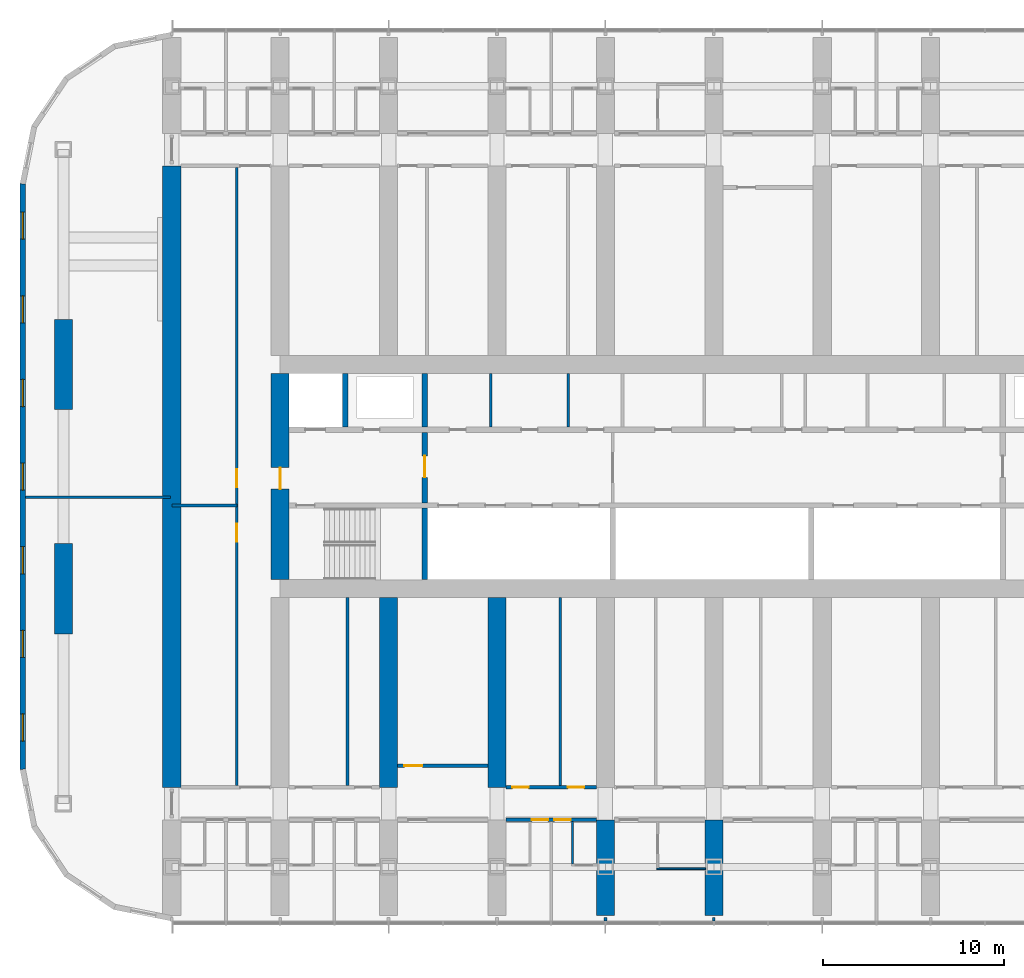
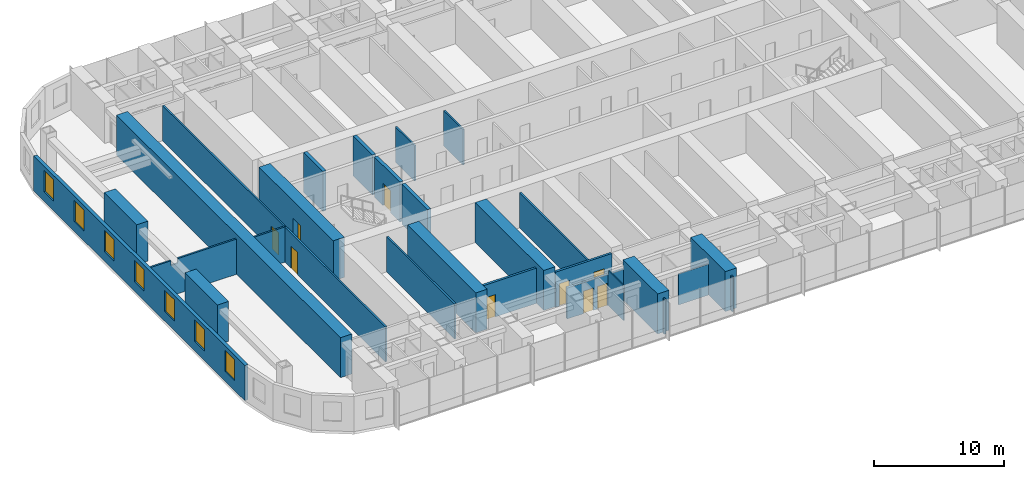
# One storey, part 11 of 24: 27 walls, 9 doors, 7 windows, 16 openings.
"""IFC4 building model written with IfcOpenShell, lengths in metres."""

from ifc_helpers import new_model, si_unit, direction, frame, frame_2d, origin, place, context, subcontext, project, spatial, polyline, rectangle, outline, extrude, material, layer, layer_set, type_object, element, fill, save


model = new_model("IFC4")

# Units and contexts
model_context = context("Model", 3, precision=1e-05, world=origin(), true_north=direction((0.0, 1.0)))
body_context = subcontext(model_context, "Body", "Model", "MODEL_VIEW")
ifc_project = project(units=[si_unit("LENGTHUNIT", "METRE"), si_unit("AREAUNIT", "SQUARE_METRE"), si_unit("VOLUMEUNIT", "CUBIC_METRE"), si_unit("PLANEANGLEUNIT", "RADIAN"), si_unit("MASSUNIT", "GRAM", prefix="KILO")], contexts=[model_context])

# Site, building, storey
site_placement = place(None, origin())
site = spatial("IfcSite", under=ifc_project, at=site_placement, CompositionType="ELEMENT")
building_placement = place(site_placement, origin())
building = spatial("IfcBuilding", under=site, at=building_placement, Name="Orbita Commons", CompositionType="ELEMENT")
storey_placement = place(building_placement, frame((0.0, 0.0, 20.199951171875)))
storey = spatial("IfcBuildingStorey", under=building, at=storey_placement, Name="L04", CompositionType="ELEMENT", Elevation=20.199951171875)

# Wall
ifc_material_1 = material(Name="Concrete C50/60", Category="concrete")
ifc_layer_1 = layer(ifc_material_1, 0.300048828125)
ifc_layer_set_1 = layer_set([ifc_layer_1], Name="Concrete C50/60")
wall_type_1 = type_object("IfcWallType", Name="Core inner wall 300 C50/60", PredefinedType="SHEAR", material=ifc_layer_set_1)
wall_1_placement = place(storey_placement, frame((26.0, 26.300048828125, 0.0), z_axis=(0.0, 0.0, 1.0), x_axis=(0.0, 1.0, 0.0)))
element("IfcWall", 1, at=wall_1_placement, inside=storey, type_object=wall_type_1, Name="Stair S1 wall L04", PredefinedType="SHEAR", context=body_context, shape_type="SweptSolid", body=[
    extrude(rectangle(XDim=3.949951171875, YDim=0.300048828125, at=frame_2d((1.97509765625, 0.0))), origin(), (0.0, 0.0, 1.0), 3.75),
])

# Wall, opening, door
wall_2_placement = place(storey_placement, frame((26.0, 30.550048828125, 0.0), z_axis=(0.0, 0.0, 1.0), x_axis=(0.0, 1.0, 0.0)))
wall_2 = element("IfcWall", 2, at=wall_2_placement, inside=storey, type_object=wall_type_1, Name="Firefighting lobby wall west L04", PredefinedType="SHEAR", context=body_context, shape_type="SweptSolid", body=[
    extrude(rectangle(XDim=3.89990234375, YDim=0.300048828125, at=frame_2d((1.949951171875, 0.0))), origin(), (0.0, 0.0, 1.0), 3.75),
])
opening_1_placement = place(wall_2_placement, frame((1.39990234375, 0.0, 0.0)))
opening_1 = element("IfcOpeningElement", 3, at=opening_1_placement, cuts=wall_2, Name="Opening D04", PredefinedType="OPENING", context=body_context, shape_type="SweptSolid", body=[
    extrude(rectangle(XDim=1.199951171875, YDim=2.10009765625, at=frame_2d((0.60009765625, 1.050048828125))), frame((0.0, 0.159912109375, 0.0), z_axis=(0.0, -1.0, 0.0), x_axis=(1.0, 0.0, 0.0)), (0.0, 0.0, 1.0), 0.320068359375),
])
ifc_material_2 = material(Name="Steel-faced fire door leaf", Category="steel")
door_type_1 = type_object("IfcDoorType", Name="Service door 20 min 1200x2100", OperationType="SINGLE_SWING_LEFT", PredefinedType="DOOR", material=ifc_material_2)
door_1_placement = place(opening_1_placement, origin())
door_1 = element("IfcDoor", 4, at=door_1_placement, inside=storey, type_object=door_type_1, Name="Lift lobby door west", OperationType="SINGLE_SWING_LEFT", OverallHeight=2.10009765625, OverallWidth=1.199951171875, PredefinedType="DOOR", context=body_context, shape_type="SweptSolid", body=[
    extrude(rectangle(XDim=1.199951171875, YDim=2.10009765625, at=frame_2d((0.60009765625, 1.050048828125))), frame((0.0, 0.02490234375, 0.0), z_axis=(0.0, -1.0, 0.0), x_axis=(1.0, 0.0, 0.0)), (0.0, 0.0, 1.0), 0.050048828125),
])
fill(opening_1, door_1)

# Walls
for number, where, z_axis, x_axis, name in (
    (5, (21.60009765625, 34.75, 0.0), (0.0, 0.0, 1.0), (0.0, 1.0, 0.0), "Firefighting lift FL1 shaft wall L04"),
    (6, (26.0, 34.75, 0.0), (0.0, 0.0, 1.0), (0.0, 1.0, 0.0), "Riser wall west L04"),
):
    element("IfcWall", number, at=place(storey_placement, frame(where, z_axis=z_axis, x_axis=x_axis)), inside=storey, type_object=wall_type_1, Name=name, PredefinedType="SHEAR", context=body_context, shape_type="SweptSolid", body=[
        extrude(rectangle(XDim=2.949951171875, YDim=0.300048828125, at=frame_2d((1.47509765625, 0.0))), origin(), (0.0, 0.0, 1.0), 3.75),
    ])
ifc_material_3 = material(Name="Concrete blockwork", Category="masonry")
ifc_layer_2 = layer(ifc_material_3, 0.14990234375)
ifc_layer_set_2 = layer_set([ifc_layer_2], Name="Concrete blockwork")
wall_type_2 = type_object("IfcWallType", Name="Core partition 150 blockwork", PredefinedType="SOLIDWALL", material=ifc_layer_set_2)
for number, where, z_axis, x_axis, name in (
    (7, (29.65087890625, 34.75, 0.0), (0.0, 0.0, 1.0), (0.0, 1.0, 0.0), "Core partition 150 blockwork L04"),
    (8, (33.9462890625, 34.75, 0.0), (0.0, 0.0, 1.0), (0.0, 1.0, 0.0), "Core partition 150 blockwork L04"),
):
    element("IfcWall", number, at=place(storey_placement, frame(where, z_axis=z_axis, x_axis=x_axis)), inside=storey, type_object=wall_type_2, Name=name, PredefinedType="SOLIDWALL", context=body_context, shape_type="SweptSolid", body=[
        extrude(rectangle(XDim=2.949951171875, YDim=0.14990234375, at=frame_2d((1.47509765625, 0.0))), origin(), (0.0, 0.0, 1.0), 3.300048828125),
    ])

# Wall, opening, door
ifc_material_4 = material(Name="Concrete C50/60", Category="concrete")
ifc_layer_3 = layer(ifc_material_4, 1.0)
ifc_layer_set_3 = layer_set([ifc_layer_3], Name="Concrete C50/60")
wall_type_3 = type_object("IfcWallType", Name="Core wall 1000 C50/60", PredefinedType="SHEAR", material=ifc_layer_set_3)
wall_3_placement = place(storey_placement, frame((18.0, 26.300048828125, 0.0), z_axis=(0.0, 0.0, 1.0), x_axis=(0.0, 1.0, 0.0)))
wall_3 = element("IfcWall", 9, at=wall_3_placement, inside=storey, type_object=wall_type_3, Name="Core end wall west L04", PredefinedType="SHEAR", context=body_context, shape_type="SweptSolid", body=[
    extrude(rectangle(XDim=11.39990234375, YDim=1.0, at=frame_2d((5.699951171875, 0.0))), origin(), (0.0, 0.0, 1.0), 3.75),
])
opening_2_placement = place(wall_3_placement, frame((5.0, 0.0, 0.0)))
opening_2 = element("IfcOpeningElement", 10, at=opening_2_placement, cuts=wall_3, Name="Opening D01", PredefinedType="OPENING", context=body_context, shape_type="SweptSolid", body=[
    extrude(rectangle(XDim=1.199951171875, YDim=2.10009765625, at=frame_2d((0.60009765625, 1.050048828125))), frame((0.0, 0.510009765625, 0.0), z_axis=(0.0, -1.0, 0.0), x_axis=(1.0, 0.0, 0.0)), (0.0, 0.0, 1.0), 1.02001953125),
])
ifc_material_5 = material(Name="Steel-faced fire door leaf", Category="steel")
door_type_2 = type_object("IfcDoorType", Name="Fire door 90 min 1200x2100", OperationType="SINGLE_SWING_LEFT", PredefinedType="DOOR", material=ifc_material_5)
door_2_placement = place(opening_2_placement, origin())
door_2 = element("IfcDoor", 11, at=door_2_placement, inside=storey, type_object=door_type_2, Name="Firefighting lobby west door", OperationType="SINGLE_SWING_LEFT", OverallHeight=2.10009765625, OverallWidth=1.199951171875, PredefinedType="DOOR", context=body_context, shape_type="SweptSolid", body=[
    extrude(rectangle(XDim=1.199951171875, YDim=2.10009765625, at=frame_2d((0.60009765625, 1.050048828125))), frame((0.0, 0.02490234375, 0.0), z_axis=(0.0, -1.0, 0.0), x_axis=(1.0, 0.0, 0.0)), (0.0, 0.0, 1.0), 0.050048828125),
])
fill(opening_2, door_2)

# Wall, openings, doors
ifc_material_6 = material(Name="Concrete blockwork", Category="masonry")
ifc_layer_4 = layer(ifc_material_6, 0.199951171875)
ifc_layer_set_4 = layer_set([ifc_layer_4], Name="Concrete blockwork")
wall_type_4 = type_object("IfcWallType", Name="Corridor wall 200 blockwork", PredefinedType="SOLIDWALL", material=ifc_layer_set_4)
wall_4_placement = place(storey_placement, frame((30.5, 13.0, 0.0), z_axis=(0.0, 0.0, 1.0), x_axis=(1.0, 0.0, 0.0)))
wall_4 = element("IfcWall", 12, at=wall_4_placement, inside=storey, type_object=wall_type_4, Name="Corridor wall 200 blockwork L04", PredefinedType="SOLIDWALL", context=body_context, shape_type="SweptSolid", body=[
    extrude(outline(polyline([(0.0, 0.0), (5.0, 0.0), (5.0, 2.900146484375), (0.0, 2.900146484375), (0.0, 0.0)])), frame((0.0, 0.10009765625, 0.0), z_axis=(0.0, -1.0, 0.0), x_axis=(1.0, 0.0, 0.0)), (0.0, 0.0, 1.0), 0.199951171875),
])
opening_3_placement = place(wall_4_placement, frame((1.425048828125, 0.0, 0.0)))
opening_3 = element("IfcOpeningElement", 13, at=opening_3_placement, cuts=wall_4, Name="Opening D11", PredefinedType="OPENING", context=body_context, shape_type="SweptSolid", body=[
    extrude(rectangle(XDim=0.89990234375, YDim=2.10009765625, at=frame_2d((0.449951171875, 1.050048828125))), frame((0.0, 0.10986328125, 0.0), z_axis=(0.0, -1.0, 0.0), x_axis=(1.0, 0.0, 0.0)), (0.0, 0.0, 1.0), 0.219970703125),
])
opening_4_placement = place(wall_4_placement, frame((2.675048828125, 0.0, 0.0)))
opening_4 = element("IfcOpeningElement", 14, at=opening_4_placement, cuts=wall_4, Name="Opening D11", PredefinedType="OPENING", context=body_context, shape_type="SweptSolid", body=[
    extrude(rectangle(XDim=0.89990234375, YDim=2.10009765625, at=frame_2d((0.449951171875, 1.050048828125))), frame((0.0, 0.10986328125, 0.0), z_axis=(0.0, -1.0, 0.0), x_axis=(1.0, 0.0, 0.0)), (0.0, 0.0, 1.0), 0.219970703125),
])
ifc_material_7 = material(Name="Steel-faced fire door leaf", Category="steel")
door_type_3 = type_object("IfcDoorType", Name="Corridor door 20 min 900x2100", OperationType="SINGLE_SWING_LEFT", PredefinedType="DOOR", material=ifc_material_7)
door_3_placement = place(opening_3_placement, origin())
door_3 = element("IfcDoor", 15, at=door_3_placement, inside=storey, type_object=door_type_3, Name="House bedroom L04-S06 door", OperationType="SINGLE_SWING_LEFT", OverallHeight=2.10009765625, OverallWidth=0.89990234375, PredefinedType="DOOR", context=body_context, shape_type="SweptSolid", body=[
    extrude(rectangle(XDim=0.89990234375, YDim=2.10009765625, at=frame_2d((0.449951171875, 1.050048828125))), frame((0.0, 0.02490234375, 0.0), z_axis=(0.0, -1.0, 0.0), x_axis=(1.0, 0.0, 0.0)), (0.0, 0.0, 1.0), 0.050048828125),
])
fill(opening_3, door_3)
door_4_placement = place(opening_4_placement, origin())
door_4 = element("IfcDoor", 16, at=door_4_placement, inside=storey, type_object=door_type_3, Name="House bedroom L04-S07 door", OperationType="SINGLE_SWING_LEFT", OverallHeight=2.10009765625, OverallWidth=0.89990234375, PredefinedType="DOOR", context=body_context, shape_type="SweptSolid", body=[
    extrude(rectangle(XDim=0.89990234375, YDim=2.10009765625, at=frame_2d((0.449951171875, 1.050048828125))), frame((0.0, 0.02490234375, 0.0), z_axis=(0.0, -1.0, 0.0), x_axis=(1.0, 0.0, 0.0)), (0.0, 0.0, 1.0), 0.050048828125),
])
fill(opening_4, door_4)

ifc_material_8 = material(Name="Hollow concrete block 200", Category="concrete")
ifc_layer_5 = layer(ifc_material_8, 0.199951171875)
ifc_layer_set_5 = layer_set([ifc_layer_5], Name="Hollow concrete block 200")
wall_type_5 = type_object("IfcWallType", Name="Corridor wall 200 hollow concrete block", PredefinedType="SOLIDWALL", material=ifc_layer_set_5)
wall_5_placement = place(storey_placement, frame((30.5, 14.800048828125, 0.0), z_axis=(0.0, 0.0, 1.0), x_axis=(1.0, 0.0, 0.0)))
wall_5 = element("IfcWall", 17, at=wall_5_placement, inside=storey, type_object=wall_type_5, Name="Corridor wall 200 hollow concrete block L04", PredefinedType="SOLIDWALL", context=body_context, shape_type="SweptSolid", body=[
    extrude(rectangle(XDim=5.0, YDim=0.199951171875, at=frame_2d((2.5, 0.0))), origin(), (0.0, 0.0, 1.0), 3.300048828125),
])
opening_5_placement = place(wall_5_placement, frame((0.35009765625, 0.0, 0.0)))
opening_5 = element("IfcOpeningElement", 18, at=opening_5_placement, cuts=wall_5, Name="Opening D11", PredefinedType="OPENING", context=body_context, shape_type="SweptSolid", body=[
    extrude(rectangle(XDim=0.89990234375, YDim=2.10009765625, at=frame_2d((0.449951171875, 1.050048828125))), frame((0.0, 0.10986328125, 0.0), z_axis=(0.0, -1.0, 0.0), x_axis=(1.0, 0.0, 0.0)), (0.0, 0.0, 1.0), 0.219970703125),
])
opening_6_placement = place(wall_5_placement, frame((3.425048828125, 0.0, 0.0)))
opening_6 = element("IfcOpeningElement", 19, at=opening_6_placement, cuts=wall_5, Name="Opening D11", PredefinedType="OPENING", context=body_context, shape_type="SweptSolid", body=[
    extrude(rectangle(XDim=0.89990234375, YDim=2.10009765625, at=frame_2d((0.449951171875, 1.050048828125))), frame((0.0, 0.10986328125, 0.0), z_axis=(0.0, -1.0, 0.0), x_axis=(1.0, 0.0, 0.0)), (0.0, 0.0, 1.0), 0.219970703125),
])
door_5_placement = place(opening_5_placement, origin())
door_5 = element("IfcDoor", 20, at=door_5_placement, inside=storey, type_object=door_type_3, Name="Water heater cupboard L04-BDS30n door", OperationType="SINGLE_SWING_LEFT", OverallHeight=2.10009765625, OverallWidth=0.89990234375, PredefinedType="DOOR", context=body_context, shape_type="SweptSolid", body=[
    extrude(rectangle(XDim=0.89990234375, YDim=2.10009765625, at=frame_2d((0.449951171875, 1.050048828125))), frame((0.0, 0.02490234375, 0.0), z_axis=(0.0, -1.0, 0.0), x_axis=(1.0, 0.0, 0.0)), (0.0, 0.0, 1.0), 0.050048828125),
])
fill(opening_5, door_5)
door_6_placement = place(opening_6_placement, origin())
door_6 = element("IfcDoor", 21, at=door_6_placement, inside=storey, type_object=door_type_3, Name="Bicycle repair workshop L04-BDS30 door", OperationType="SINGLE_SWING_LEFT", OverallHeight=2.10009765625, OverallWidth=0.89990234375, PredefinedType="DOOR", context=body_context, shape_type="SweptSolid", body=[
    extrude(rectangle(XDim=0.89990234375, YDim=2.10009765625, at=frame_2d((0.449951171875, 1.050048828125))), frame((0.0, 0.02490234375, 0.0), z_axis=(0.0, -1.0, 0.0), x_axis=(1.0, 0.0, 0.0)), (0.0, 0.0, 1.0), 0.050048828125),
])
fill(opening_6, door_6)

# Wall, opening, door
wall_6_placement = place(storey_placement, frame((24.5, 16.0, 0.0), z_axis=(0.0, 0.0, 1.0), x_axis=(1.0, 0.0, 0.0)))
wall_6 = element("IfcWall", 22, at=wall_6_placement, inside=storey, type_object=wall_type_5, Name="Corridor wall 200 hollow concrete block L04", PredefinedType="SOLIDWALL", context=body_context, shape_type="SweptSolid", body=[
    extrude(rectangle(XDim=5.0, YDim=0.199951171875, at=frame_2d((2.5, 0.0))), origin(), (0.0, 0.0, 1.0), 3.300048828125),
])
opening_7_placement = place(wall_6_placement, frame((0.375, 0.0, 0.0)))
opening_7 = element("IfcOpeningElement", 23, at=opening_7_placement, cuts=wall_6, Name="Opening D06", PredefinedType="OPENING", context=body_context, shape_type="SweptSolid", body=[
    extrude(rectangle(XDim=1.0, YDim=2.10009765625, at=frame_2d((0.5, 1.050048828125))), frame((0.0, 0.10986328125, 0.0), z_axis=(0.0, -1.0, 0.0), x_axis=(1.0, 0.0, 0.0)), (0.0, 0.0, 1.0), 0.219970703125),
])
ifc_material_9 = material(Name="Steel-faced fire door leaf", Category="steel")
door_type_4 = type_object("IfcDoorType", Name="Corridor door 20 min 1000x2100", OperationType="SINGLE_SWING_LEFT", PredefinedType="DOOR", material=ifc_material_9)
door_7_placement = place(opening_7_placement, origin())
door_7 = element("IfcDoor", 24, at=door_7_placement, inside=storey, type_object=door_type_4, Name="Bulk and luggage store L04-BDS24 door", OperationType="SINGLE_SWING_LEFT", OverallHeight=2.10009765625, OverallWidth=1.0, PredefinedType="DOOR", context=body_context, shape_type="SweptSolid", body=[
    extrude(rectangle(XDim=1.0, YDim=2.10009765625, at=frame_2d((0.5, 1.050048828125))), frame((0.0, 0.02490234375, 0.0), z_axis=(0.0, -1.0, 0.0), x_axis=(1.0, 0.0, 0.0)), (0.0, 0.0, 1.0), 0.050048828125),
])
fill(opening_7, door_7)

# Walls
ifc_material_10 = material(Name="Concrete C50/60", Category="concrete")
ifc_layer_6 = layer(ifc_material_10, 1.0)
ifc_layer_set_6 = layer_set([ifc_layer_6], Name="Concrete C50/60")
wall_type_6 = type_object("IfcWallType", Name="Cross wall 1000 C50/60", PredefinedType="SHEAR", material=ifc_layer_set_6)
wall_7_placement = place(storey_placement, frame((12.0, 14.800048828125, 0.0), z_axis=(0.0, 0.0, 1.0), x_axis=(0.0, 1.0, 0.0)))
element("IfcWall", 25, at=wall_7_placement, inside=storey, type_object=wall_type_6, Name="Cross wall 3 inner L04", PredefinedType="SHEAR", context=body_context, shape_type="SweptSolid", body=[
    extrude(rectangle(XDim=34.39990234375, YDim=1.0, at=frame_2d((17.199951171875, 0.0))), origin(), (0.0, 0.0, 1.0), 3.75),
])
for number, where, z_axis, x_axis, name in (
    (26, (24.0, 14.800048828125, 0.0), (0.0, 0.0, 1.0), (0.0, 1.0, 0.0), "Cross wall 5 south inner L04"),
    (27, (30.0, 14.800048828125, 0.0), (0.0, 0.0, 1.0), (0.0, 1.0, 0.0), "Cross wall 6 south inner L04"),
):
    element("IfcWall", number, at=place(storey_placement, frame(where, z_axis=z_axis, x_axis=x_axis)), inside=storey, type_object=wall_type_6, Name=name, PredefinedType="SHEAR", context=body_context, shape_type="SweptSolid", body=[
        extrude(rectangle(XDim=10.5, YDim=1.0, at=frame_2d((5.25, 0.0))), origin(), (0.0, 0.0, 1.0), 3.75),
    ])
for number, where, z_axis, x_axis, name in (
    (28, (36.0, 7.699951171875, 0.0), (0.0, 0.0, 1.0), (0.0, 1.0, 0.0), "Cross wall 7 south outer L04"),
    (29, (42.0, 7.699951171875, 0.0), (0.0, 0.0, 1.0), (0.0, 1.0, 0.0), "Cross wall 8 south outer L04"),
):
    element("IfcWall", number, at=place(storey_placement, frame(where, z_axis=z_axis, x_axis=x_axis)), inside=storey, type_object=wall_type_6, Name=name, PredefinedType="SHEAR", context=body_context, shape_type="SweptSolid", body=[
        extrude(rectangle(XDim=5.300048828125, YDim=1.0, at=frame_2d((2.64990234375, 0.0))), origin(), (0.0, 0.0, 1.0), 3.75),
    ])
ifc_material_11 = material(Name="Moisture-resistant plasterboard on steel studs", Category="steel")
ifc_layer_7 = layer(ifc_material_11, 0.10009765625)
ifc_layer_set_7 = layer_set([ifc_layer_7], Name="Moisture-resistant plasterboard on steel studs")
wall_type_7 = type_object("IfcWallType", Name="En-suite partition 100", PredefinedType="PARTITIONING", material=ifc_layer_set_7)
wall_8_placement = place(storey_placement, frame((34.175048828125, 10.550048828125, 0.0), z_axis=(0.0, 0.0, 1.0), x_axis=(0.0, 1.0, 0.0)))
element("IfcWall", 30, at=wall_8_placement, inside=storey, type_object=wall_type_7, Name="En-suite partition 100 L04", PredefinedType="PARTITIONING", context=body_context, shape_type="SweptSolid", body=[
    extrude(outline(polyline([(0.0, 0.0), (2.349853515625, 0.0), (2.35009765625, 2.900146484375), (2.302001953125, 2.900146484375), (2.300048828125, 3.300048828125), (0.052001953125, 3.300048828125), (0.050048828125, 2.900146484375), (0.0, 2.900146484375), (0.0, 0.0)])), frame((0.0, 0.050048828125, 0.0), z_axis=(0.0, -1.0, 0.0), x_axis=(1.0, 0.0, 0.0)), (0.0, 0.0, 1.0), 0.10009765625),
])
wall_9_placement = place(storey_placement, frame((38.85009765625, 10.300048828125, 0.0), z_axis=(0.0, 0.0, 1.0), x_axis=(1.0, 0.0, 0.0)))
element("IfcWall", 31, at=wall_9_placement, inside=storey, type_object=wall_type_7, Name="En-suite partition 100 L04", PredefinedType="PARTITIONING", context=body_context, shape_type="SweptSolid", body=[
    extrude(outline(polyline([(0.0, 0.0), (2.699951171875, 0.0), (2.699951171875, 2.900146484375), (0.0, 2.900146484375), (0.0, 0.0)])), frame((0.0, 0.050048828125, 0.0), z_axis=(0.0, -1.0, 0.0), x_axis=(1.0, 0.0, 0.0)), (0.0, 0.0, 1.0), 0.10009765625),
])
ifc_material_12 = material(Name="Concrete C50/60", Category="concrete")
ifc_layer_8 = layer(ifc_material_12, 1.0)
ifc_layer_set_8 = layer_set([ifc_layer_8], Name="Concrete C50/60")
wall_type_8 = type_object("IfcWallType", Name="End pier 1000x5000 C50/60", PredefinedType="SHEAR", material=ifc_layer_set_8)
for number, where, z_axis, x_axis, name in (
    (32, (6.0, 23.300048828125, 0.0), (0.0, 0.0, 1.0), (0.0, 1.0, 0.0), "End pier 2/C L04"),
    (33, (6.0, 35.699951171875, 0.0), (0.0, 0.0, 1.0), (0.0, 1.0, 0.0), "End pier 2/D L04"),
):
    element("IfcWall", number, at=place(storey_placement, frame(where, z_axis=z_axis, x_axis=x_axis)), inside=storey, type_object=wall_type_8, Name=name, PredefinedType="SHEAR", context=body_context, shape_type="SweptSolid", body=[
        extrude(rectangle(XDim=5.0, YDim=1.0, at=frame_2d((2.5, 0.0))), origin(), (0.0, 0.0, 1.0), 3.75),
    ])
ifc_material_13 = material(Name="Gypsum plasterboard on steel studs", Category="steel")
ifc_layer_9 = layer(ifc_material_13, 0.14990234375)
ifc_layer_set_9 = layer_set([ifc_layer_9], Name="Gypsum plasterboard on steel studs")
wall_type_9 = type_object("IfcWallType", Name="Partition 150 plasterboard", PredefinedType="PARTITIONING", material=ifc_layer_set_9)
for number, where, z_axis, x_axis, name in (
    (34, (21.72509765625, 14.89990234375, 0.0), (0.0, 0.0, 1.0), (0.0, 1.0, 0.0), "Partition 150 plasterboard L04"),
    (35, (33.5, 14.89990234375, 0.0), (0.0, 0.0, 1.0), (0.0, 1.0, 0.0), "Partition 150 plasterboard L04"),
):
    element("IfcWall", number, at=place(storey_placement, frame(where, z_axis=z_axis, x_axis=x_axis)), inside=storey, type_object=wall_type_9, Name=name, PredefinedType="PARTITIONING", context=body_context, shape_type="SweptSolid", body=[
        extrude(rectangle(XDim=10.400146484375, YDim=0.14990234375, at=frame_2d((5.2001953125, 0.0))), origin(), (0.0, 0.0, 1.0), 3.300048828125),
    ])

# Wall, openings, doors
wall_10_placement = place(storey_placement, frame((15.60009765625, 14.89990234375, 0.0), z_axis=(0.0, 0.0, 1.0), x_axis=(0.0, 1.0, 0.0)))
wall_10 = element("IfcWall", 36, at=wall_10_placement, inside=storey, type_object=wall_type_9, Name="Partition 150 plasterboard L04", PredefinedType="PARTITIONING", context=body_context, shape_type="SweptSolid", body=[
    extrude(rectangle(XDim=34.2001953125, YDim=0.14990234375, at=frame_2d((17.10009765625, 0.0))), origin(), (0.0, 0.0, 1.0), 3.300048828125),
])
opening_8_placement = place(wall_10_placement, frame((13.5, 0.0, 0.0)))
opening_8 = element("IfcOpeningElement", 37, at=opening_8_placement, cuts=wall_10, Name="Opening D06", PredefinedType="OPENING", context=body_context, shape_type="SweptSolid", body=[
    extrude(rectangle(XDim=1.0, YDim=2.10009765625, at=frame_2d((0.5, 1.050048828125))), frame((0.0, 0.0849609375, 0.0), z_axis=(0.0, -1.0, 0.0), x_axis=(1.0, 0.0, 0.0)), (0.0, 0.0, 1.0), 0.169921875),
])
opening_9_placement = place(wall_10_placement, frame((16.5, 0.0, 0.0)))
opening_9 = element("IfcOpeningElement", 38, at=opening_9_placement, cuts=wall_10, Name="Opening D06", PredefinedType="OPENING", context=body_context, shape_type="SweptSolid", body=[
    extrude(rectangle(XDim=1.0, YDim=2.10009765625, at=frame_2d((0.5, 1.050048828125))), frame((0.0, 0.0849609375, 0.0), z_axis=(0.0, -1.0, 0.0), x_axis=(1.0, 0.0, 0.0)), (0.0, 0.0, 1.0), 0.169921875),
])
door_8_placement = place(opening_8_placement, origin())
door_8 = element("IfcDoor", 39, at=door_8_placement, inside=storey, type_object=door_type_4, Name="Interview room door", OperationType="SINGLE_SWING_LEFT", OverallHeight=2.10009765625, OverallWidth=1.0, PredefinedType="DOOR", context=body_context, shape_type="SweptSolid", body=[
    extrude(rectangle(XDim=1.0, YDim=2.10009765625, at=frame_2d((0.5, 1.050048828125))), frame((0.0, 0.02490234375, 0.0), z_axis=(0.0, -1.0, 0.0), x_axis=(1.0, 0.0, 0.0)), (0.0, 0.0, 1.0), 0.050048828125),
])
fill(opening_8, door_8)
door_9_placement = place(opening_9_placement, origin())
door_9 = element("IfcDoor", 40, at=door_9_placement, inside=storey, type_object=door_type_4, Name="Residents' storage room door", OperationType="SINGLE_SWING_LEFT", OverallHeight=2.10009765625, OverallWidth=1.0, PredefinedType="DOOR", context=body_context, shape_type="SweptSolid", body=[
    extrude(rectangle(XDim=1.0, YDim=2.10009765625, at=frame_2d((0.5, 1.050048828125))), frame((0.0, 0.02490234375, 0.0), z_axis=(0.0, -1.0, 0.0), x_axis=(1.0, 0.0, 0.0)), (0.0, 0.0, 1.0), 0.050048828125),
])
fill(opening_9, door_9)

# Walls
wall_11_placement = place(storey_placement, frame((12.0, 30.39990234375, 0.0), z_axis=(0.0, 0.0, 1.0), x_axis=(1.0, 0.0, 0.0)))
element("IfcWall", 41, at=wall_11_placement, inside=storey, type_object=wall_type_9, Name="Partition 150 plasterboard L04", PredefinedType="PARTITIONING", context=body_context, shape_type="SweptSolid", body=[
    extrude(rectangle(XDim=3.60009765625, YDim=0.14990234375, at=frame_2d((1.800048828125, 0.0))), origin(), (0.0, 0.0, 1.0), 3.300048828125),
])
wall_12_placement = place(storey_placement, frame((3.905029296875, 30.85009765625, 0.0), z_axis=(0.0, 0.0, 1.0), x_axis=(1.0, 0.0, 0.0)))
element("IfcWall", 42, at=wall_12_placement, inside=storey, type_object=wall_type_9, Name="Partition 150 plasterboard L04", PredefinedType="PARTITIONING", context=body_context, shape_type="SweptSolid", body=[
    extrude(outline(polyline([(0.0, 0.0), (8.02001953125, 0.0), (8.02001953125, 3.300048828125), (2.39697265625, 3.300048828125), (2.39501953125, 2.85009765625), (1.797119140625, 2.85009765625), (1.794921875, 3.300048828125), (0.0, 3.300048828125), (0.0, 0.0)])), frame((0.0, 0.074951171875, 0.0), z_axis=(0.0, -1.0, 0.0), x_axis=(1.0, 0.0, 0.0)), (0.0, 0.0, 1.0), 0.14990234375),
])
for number, where, z_axis, x_axis, name in (
    (43, (36.0, 7.60009765625, 0.0), (0.0, 0.0, 1.0), (0.0, -1.0, 0.0), "Partition 150 plasterboard L04"),
    (44, (42.0, 7.60009765625, 0.0), (0.0, 0.0, 1.0), (0.0, -1.0, 0.0), "Partition 150 plasterboard L04"),
):
    element("IfcWall", number, at=place(storey_placement, frame(where, z_axis=z_axis, x_axis=x_axis)), inside=storey, type_object=wall_type_9, Name=name, PredefinedType="PARTITIONING", context=body_context, shape_type="SweptSolid", body=[
        extrude(rectangle(XDim=0.190185546875, YDim=0.14990234375, at=frame_2d((0.09521484375, 0.0))), origin(), (0.0, 0.0, 1.0), 3.300048828125),
    ])

# Wall, openings, windows
ifc_material_14 = material(Name="Precast concrete C40/50, white board-marked finish", Category="concrete")
ifc_layer_10 = layer(ifc_material_14, 0.300048828125)
ifc_layer_set_10 = layer_set([ifc_layer_10], Name="Precast concrete C40/50, white board-marked finish")
wall_type_10 = type_object("IfcWallType", Name="Precast concrete end shield 300", PredefinedType="SOLIDWALL", material=ifc_layer_set_10)
wall_13_placement = place(storey_placement, frame((3.75, 48.199951171875, 0.0), z_axis=(0.0, 0.0, 1.0), x_axis=(0.0, -1.0, 0.0)))
wall_13 = element("IfcWall", 45, at=wall_13_placement, inside=storey, type_object=wall_type_10, Name="End shield W L04", PredefinedType="SOLIDWALL", context=body_context, shape_type="SweptSolid", body=[
    extrude(outline(polyline([(-0.014892578125, -0.14990234375), (32.414794921875, -0.14990234375), (32.385009765625, 0.14990234375), (0.014892578125, 0.14990234375), (-0.014892578125, -0.14990234375)])), origin(), (0.0, 0.0, 1.0), 3.300048828125),
])
opening_10_placement = place(wall_13_placement, frame((1.564208984375, 0.0, 0.89990234375)))
opening_10 = element("IfcOpeningElement", 46, at=opening_10_placement, cuts=wall_13, Name="Opening W01", PredefinedType="OPENING", context=body_context, shape_type="SweptSolid", body=[
    extrude(rectangle(XDim=1.5, YDim=2.0, at=frame_2d((0.75, 1.0))), frame((0.0, 0.159912109375, 0.0), z_axis=(0.0, -1.0, 0.0), x_axis=(1.0, 0.0, 0.0)), (0.0, 0.0, 1.0), 0.320068359375),
])
opening_11_placement = place(wall_13_placement, frame((6.19287109375, 0.0, 0.89990234375)))
opening_11 = element("IfcOpeningElement", 47, at=opening_11_placement, cuts=wall_13, Name="Opening W01", PredefinedType="OPENING", context=body_context, shape_type="SweptSolid", body=[
    extrude(rectangle(XDim=1.5, YDim=2.0, at=frame_2d((0.75, 1.0))), frame((0.0, 0.159912109375, 0.0), z_axis=(0.0, -1.0, 0.0), x_axis=(1.0, 0.0, 0.0)), (0.0, 0.0, 1.0), 0.320068359375),
])
opening_12_placement = place(wall_13_placement, frame((10.821533203125, 0.0, 0.89990234375)))
opening_12 = element("IfcOpeningElement", 48, at=opening_12_placement, cuts=wall_13, Name="Opening W01", PredefinedType="OPENING", context=body_context, shape_type="SweptSolid", body=[
    extrude(rectangle(XDim=1.5, YDim=2.0, at=frame_2d((0.75, 1.0))), frame((0.0, 0.159912109375, 0.0), z_axis=(0.0, -1.0, 0.0), x_axis=(1.0, 0.0, 0.0)), (0.0, 0.0, 1.0), 0.320068359375),
])
opening_13_placement = place(wall_13_placement, frame((15.449951171875, 0.0, 0.89990234375)))
opening_13 = element("IfcOpeningElement", 49, at=opening_13_placement, cuts=wall_13, Name="Opening W01", PredefinedType="OPENING", context=body_context, shape_type="SweptSolid", body=[
    extrude(rectangle(XDim=1.5, YDim=2.0, at=frame_2d((0.75, 1.0))), frame((0.0, 0.159912109375, 0.0), z_axis=(0.0, -1.0, 0.0), x_axis=(1.0, 0.0, 0.0)), (0.0, 0.0, 1.0), 0.320068359375),
])
opening_14_placement = place(wall_13_placement, frame((20.07861328125, 0.0, 0.89990234375)))
opening_14 = element("IfcOpeningElement", 50, at=opening_14_placement, cuts=wall_13, Name="Opening W01", PredefinedType="OPENING", context=body_context, shape_type="SweptSolid", body=[
    extrude(rectangle(XDim=1.5, YDim=2.0, at=frame_2d((0.75, 1.0))), frame((0.0, 0.159912109375, 0.0), z_axis=(0.0, -1.0, 0.0), x_axis=(1.0, 0.0, 0.0)), (0.0, 0.0, 1.0), 0.320068359375),
])
opening_15_placement = place(wall_13_placement, frame((24.70703125, 0.0, 0.89990234375)))
opening_15 = element("IfcOpeningElement", 51, at=opening_15_placement, cuts=wall_13, Name="Opening W01", PredefinedType="OPENING", context=body_context, shape_type="SweptSolid", body=[
    extrude(rectangle(XDim=1.5, YDim=2.0, at=frame_2d((0.75, 1.0))), frame((0.0, 0.159912109375, 0.0), z_axis=(0.0, -1.0, 0.0), x_axis=(1.0, 0.0, 0.0)), (0.0, 0.0, 1.0), 0.320068359375),
])
opening_16_placement = place(wall_13_placement, frame((29.335693359375, 0.0, 0.89990234375)))
opening_16 = element("IfcOpeningElement", 52, at=opening_16_placement, cuts=wall_13, Name="Opening W01", PredefinedType="OPENING", context=body_context, shape_type="SweptSolid", body=[
    extrude(rectangle(XDim=1.5, YDim=2.0, at=frame_2d((0.75, 1.0))), frame((0.0, 0.159912109375, 0.0), z_axis=(0.0, -1.0, 0.0), x_axis=(1.0, 0.0, 0.0)), (0.0, 0.0, 1.0), 0.320068359375),
])
ifc_material_15 = material(Name="Aluminium frame, clear double glazing", Category="aluminium")
window_type = type_object("IfcWindowType", Name="Deep-set window 1500x2000", PartitioningType="SINGLE_PANEL", PredefinedType="WINDOW", material=ifc_material_15)
window_1_placement = place(opening_10_placement, origin())
window_1 = element("IfcWindow", 53, at=window_1_placement, inside=storey, type_object=window_type, Name="Window L04-W 1", OverallHeight=2.0, OverallWidth=1.5, PartitioningType="SINGLE_PANEL", PredefinedType="WINDOW", context=body_context, shape_type="SweptSolid", body=[
    extrude(rectangle(XDim=1.5, YDim=2.0, at=frame_2d((0.75, 1.0))), frame((0.0, 0.030029296875, 0.0), z_axis=(0.0, -1.0, 0.0), x_axis=(1.0, 0.0, 0.0)), (0.0, 0.0, 1.0), 0.06005859375),
])
fill(opening_10, window_1)
window_2_placement = place(opening_11_placement, origin())
window_2 = element("IfcWindow", 54, at=window_2_placement, inside=storey, type_object=window_type, Name="Window L04-W 2", OverallHeight=2.0, OverallWidth=1.5, PartitioningType="SINGLE_PANEL", PredefinedType="WINDOW", context=body_context, shape_type="SweptSolid", body=[
    extrude(rectangle(XDim=1.5, YDim=2.0, at=frame_2d((0.75, 1.0))), frame((0.0, 0.030029296875, 0.0), z_axis=(0.0, -1.0, 0.0), x_axis=(1.0, 0.0, 0.0)), (0.0, 0.0, 1.0), 0.06005859375),
])
fill(opening_11, window_2)
window_3_placement = place(opening_12_placement, origin())
window_3 = element("IfcWindow", 55, at=window_3_placement, inside=storey, type_object=window_type, Name="Window L04-W 3", OverallHeight=2.0, OverallWidth=1.5, PartitioningType="SINGLE_PANEL", PredefinedType="WINDOW", context=body_context, shape_type="SweptSolid", body=[
    extrude(rectangle(XDim=1.5, YDim=2.0, at=frame_2d((0.75, 1.0))), frame((0.0, 0.030029296875, 0.0), z_axis=(0.0, -1.0, 0.0), x_axis=(1.0, 0.0, 0.0)), (0.0, 0.0, 1.0), 0.06005859375),
])
fill(opening_12, window_3)
window_4_placement = place(opening_13_placement, origin())
window_4 = element("IfcWindow", 56, at=window_4_placement, inside=storey, type_object=window_type, Name="Window L04-W 4", OverallHeight=2.0, OverallWidth=1.5, PartitioningType="SINGLE_PANEL", PredefinedType="WINDOW", context=body_context, shape_type="SweptSolid", body=[
    extrude(rectangle(XDim=1.5, YDim=2.0, at=frame_2d((0.75, 1.0))), frame((0.0, 0.030029296875, 0.0), z_axis=(0.0, -1.0, 0.0), x_axis=(1.0, 0.0, 0.0)), (0.0, 0.0, 1.0), 0.06005859375),
])
fill(opening_13, window_4)
window_5_placement = place(opening_14_placement, origin())
window_5 = element("IfcWindow", 57, at=window_5_placement, inside=storey, type_object=window_type, Name="Window L04-W 5", OverallHeight=2.0, OverallWidth=1.5, PartitioningType="SINGLE_PANEL", PredefinedType="WINDOW", context=body_context, shape_type="SweptSolid", body=[
    extrude(rectangle(XDim=1.5, YDim=2.0, at=frame_2d((0.75, 1.0))), frame((0.0, 0.030029296875, 0.0), z_axis=(0.0, -1.0, 0.0), x_axis=(1.0, 0.0, 0.0)), (0.0, 0.0, 1.0), 0.06005859375),
])
fill(opening_14, window_5)
window_6_placement = place(opening_15_placement, origin())
window_6 = element("IfcWindow", 58, at=window_6_placement, inside=storey, type_object=window_type, Name="Window L04-W 6", OverallHeight=2.0, OverallWidth=1.5, PartitioningType="SINGLE_PANEL", PredefinedType="WINDOW", context=body_context, shape_type="SweptSolid", body=[
    extrude(rectangle(XDim=1.5, YDim=2.0, at=frame_2d((0.75, 1.0))), frame((0.0, 0.030029296875, 0.0), z_axis=(0.0, -1.0, 0.0), x_axis=(1.0, 0.0, 0.0)), (0.0, 0.0, 1.0), 0.06005859375),
])
fill(opening_15, window_6)
window_7_placement = place(opening_16_placement, origin())
window_7 = element("IfcWindow", 59, at=window_7_placement, inside=storey, type_object=window_type, Name="Window L04-W 7", OverallHeight=2.0, OverallWidth=1.5, PartitioningType="SINGLE_PANEL", PredefinedType="WINDOW", context=body_context, shape_type="SweptSolid", body=[
    extrude(rectangle(XDim=1.5, YDim=2.0, at=frame_2d((0.75, 1.0))), frame((0.0, 0.030029296875, 0.0), z_axis=(0.0, -1.0, 0.0), x_axis=(1.0, 0.0, 0.0)), (0.0, 0.0, 1.0), 0.06005859375),
])
fill(opening_16, window_7)

save(model, "model.ifc")
